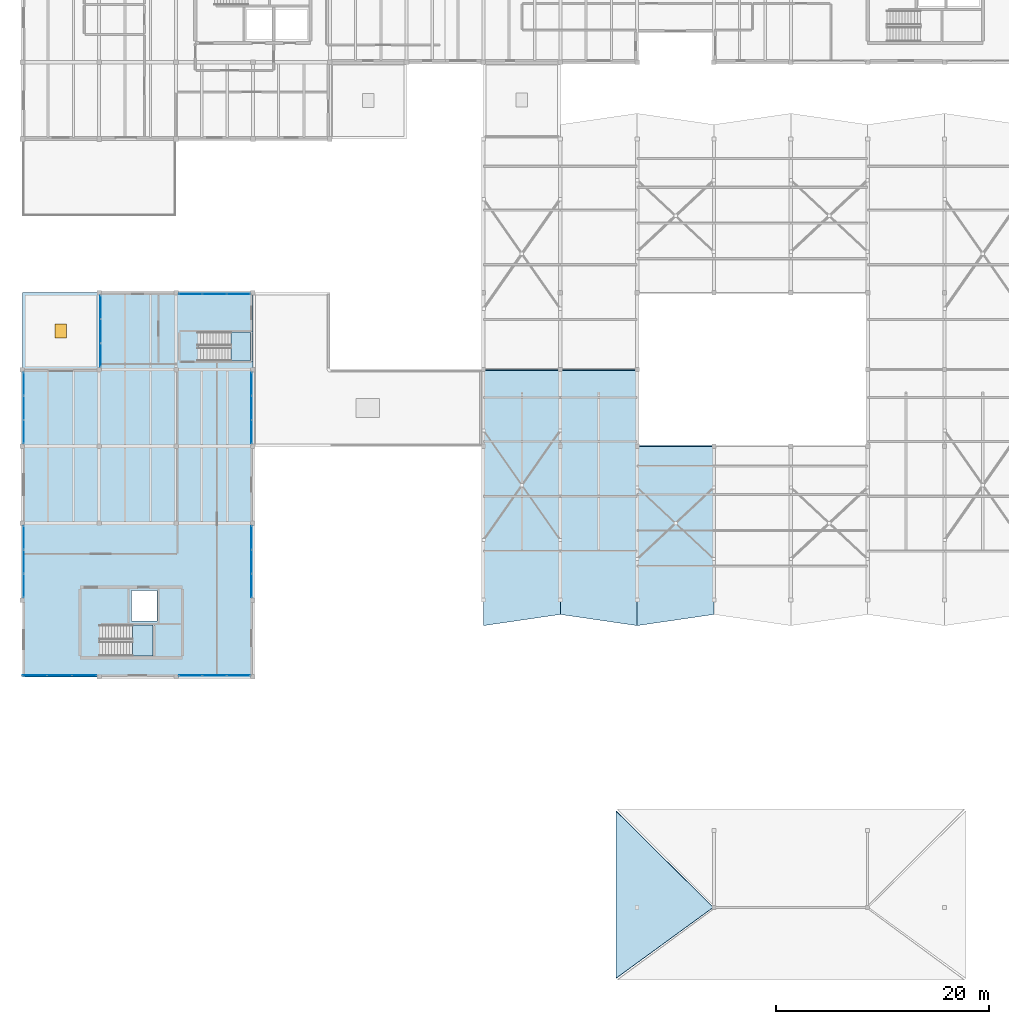
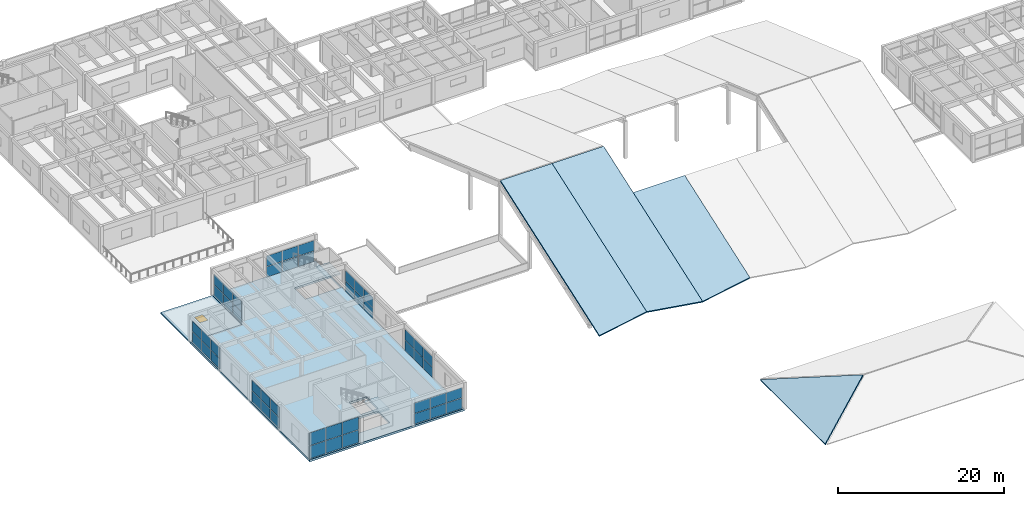
# One storey, part 49 of 68: 48 plates, 8 slabs, 1 door, 1 opening, 10 elements without a shape of their own.
"""IFC4 building model written with IfcOpenShell, lengths in metres."""

from ifc_helpers import new_model, si_unit, direction, frame, origin, origin_2d, place, context, subcontext, project, spatial, polyline, rectangle, outline, extrude, material, layer, layer_set, type_object, element, fill, aggregate, save


model = new_model("IFC4")

# Units and contexts
model_context = context("Model", 3, precision=1e-05, world=origin(), true_north=direction((0.0, 1.0)))
body_context = subcontext(model_context, "Body", "Model", "MODEL_VIEW")
ifc_project = project(units=[si_unit("LENGTHUNIT", "METRE"), si_unit("AREAUNIT", "SQUARE_METRE"), si_unit("VOLUMEUNIT", "CUBIC_METRE"), si_unit("PLANEANGLEUNIT", "RADIAN"), si_unit("MASSUNIT", "GRAM", prefix="KILO")], contexts=[model_context])

# Site, building, storey
site_placement = place(None, origin())
site = spatial("IfcSite", under=ifc_project, at=site_placement, CompositionType="ELEMENT")
building_placement = place(site_placement, origin())
building = spatial("IfcBuilding", under=site, at=building_placement, Name="Bramvelor Terrace Health Centre", CompositionType="ELEMENT")
storey_placement = place(building_placement, frame((0.0, 0.0, 9.300048828125)))
storey = spatial("IfcBuildingStorey", under=building, at=storey_placement, Name="L03", CompositionType="ELEMENT", Elevation=9.300048828125)

# Curtain wall, plates
ifc_material_1 = material(Name="Anodized aluminium and double low-E glass", Category="aluminium")
curtain_wall_type_1 = type_object("IfcCurtainWallType", Name="CW-SYS-27", PredefinedType="NOTDEFINED", material=ifc_material_1)
curtain_wall_1_placement = place(storey_placement, origin())
curtain_wall_1 = element("IfcCurtainWall", 1, at=curtain_wall_1_placement, inside=storey, type_object=curtain_wall_type_1, Name="L03 Unitized Curtain Wall 153", PredefinedType="NOTDEFINED")
ifc_material_2 = material(Name="Double low-E laminated glass", Category="glass")
ifc_layer_1 = layer(ifc_material_2, 0.028076171875)
ifc_layer_set_1 = layer_set([ifc_layer_1], Name="Double low-E laminated glass")
plate_type = type_object("IfcPlateType", Name="CW-PNL-GLZ28", PredefinedType="CURTAIN_PANEL", material=ifc_layer_set_1)
plate_1_placement = place(storey_placement, frame((15.75537109375, 64.669921875, 0.06494140625), z_axis=(0.0, 0.0, 1.0), x_axis=(1.0, 0.0, 0.0)))
plate_1 = element("IfcPlate", 2, at=plate_1_placement, type_object=plate_type, Name="CW-27 panel 1.1", PredefinedType="CURTAIN_PANEL", context=body_context, shape_type="SweptSolid", body=[
    extrude(rectangle(XDim=2.15087890625, YDim=0.028076171875, at=origin_2d()), origin(), (0.0, 0.0, 1.0), 1.517578125),
])
plate_2_placement = place(storey_placement, frame((15.75537109375, 64.669921875, 1.6474609375), z_axis=(0.0, 0.0, 1.0), x_axis=(1.0, 0.0, 0.0)))
plate_2 = element("IfcPlate", 3, at=plate_2_placement, type_object=plate_type, Name="CW-27 panel 1.2", PredefinedType="CURTAIN_PANEL", context=body_context, shape_type="SweptSolid", body=[
    extrude(rectangle(XDim=2.15087890625, YDim=0.028076171875, at=origin_2d()), origin(), (0.0, 0.0, 1.0), 1.517578125),
])
plate_3_placement = place(storey_placement, frame((18.0, 64.669921875, 0.06494140625), z_axis=(0.0, 0.0, 1.0), x_axis=(1.0, 0.0, 0.0)))
plate_3 = element("IfcPlate", 4, at=plate_3_placement, type_object=plate_type, Name="CW-27 panel 2.1", PredefinedType="CURTAIN_PANEL", context=body_context, shape_type="SweptSolid", body=[
    extrude(rectangle(XDim=2.188232421875, YDim=0.028076171875, at=origin_2d()), origin(), (0.0, 0.0, 1.0), 1.517578125),
])
plate_4_placement = place(storey_placement, frame((18.0, 64.669921875, 1.6474609375), z_axis=(0.0, 0.0, 1.0), x_axis=(1.0, 0.0, 0.0)))
plate_4 = element("IfcPlate", 5, at=plate_4_placement, type_object=plate_type, Name="CW-27 panel 2.2", PredefinedType="CURTAIN_PANEL", context=body_context, shape_type="SweptSolid", body=[
    extrude(rectangle(XDim=2.188232421875, YDim=0.028076171875, at=origin_2d()), origin(), (0.0, 0.0, 1.0), 1.517578125),
])
plate_5_placement = place(storey_placement, frame((20.24462890625, 64.669921875, 0.06494140625), z_axis=(0.0, 0.0, 1.0), x_axis=(1.0, 0.0, 0.0)))
plate_5 = element("IfcPlate", 6, at=plate_5_placement, type_object=plate_type, Name="CW-27 panel 3.1", PredefinedType="CURTAIN_PANEL", context=body_context, shape_type="SweptSolid", body=[
    extrude(rectangle(XDim=2.15087890625, YDim=0.028076171875, at=origin_2d()), origin(), (0.0, 0.0, 1.0), 1.517578125),
])
plate_6_placement = place(storey_placement, frame((20.24462890625, 64.669921875, 1.6474609375), z_axis=(0.0, 0.0, 1.0), x_axis=(1.0, 0.0, 0.0)))
plate_6 = element("IfcPlate", 7, at=plate_6_placement, type_object=plate_type, Name="CW-27 panel 3.2", PredefinedType="CURTAIN_PANEL", context=body_context, shape_type="SweptSolid", body=[
    extrude(rectangle(XDim=2.15087890625, YDim=0.028076171875, at=origin_2d()), origin(), (0.0, 0.0, 1.0), 1.517578125),
])
aggregate(curtain_wall_1, [plate_1, plate_2, plate_3, plate_4, plate_5, plate_6])

curtain_wall_2_placement = place(storey_placement, origin())
curtain_wall_2 = element("IfcCurtainWall", 8, at=curtain_wall_2_placement, inside=storey, type_object=curtain_wall_type_1, Name="L03 Unitized Curtain Wall 154", PredefinedType="NOTDEFINED")
plate_7_placement = place(storey_placement, frame((21.469970703125, 56.24462890625, 0.06494140625), z_axis=(0.0, 0.0, 1.0), x_axis=(0.0, -1.0, 0.0)))
plate_7 = element("IfcPlate", 9, at=plate_7_placement, type_object=plate_type, Name="CW-27 panel 1.1", PredefinedType="CURTAIN_PANEL", context=body_context, shape_type="SweptSolid", body=[
    extrude(rectangle(XDim=2.15087890625, YDim=0.028076171875, at=origin_2d()), origin(), (0.0, 0.0, 1.0), 1.517578125),
])
plate_8_placement = place(storey_placement, frame((21.469970703125, 56.24462890625, 1.6474609375), z_axis=(0.0, 0.0, 1.0), x_axis=(0.0, -1.0, 0.0)))
plate_8 = element("IfcPlate", 10, at=plate_8_placement, type_object=plate_type, Name="CW-27 panel 1.2", PredefinedType="CURTAIN_PANEL", context=body_context, shape_type="SweptSolid", body=[
    extrude(rectangle(XDim=2.15087890625, YDim=0.028076171875, at=origin_2d()), origin(), (0.0, 0.0, 1.0), 1.517578125),
])
plate_9_placement = place(storey_placement, frame((21.469970703125, 54.0, 0.06494140625), z_axis=(0.0, 0.0, 1.0), x_axis=(0.0, -1.0, 0.0)))
plate_9 = element("IfcPlate", 11, at=plate_9_placement, type_object=plate_type, Name="CW-27 panel 2.1", PredefinedType="CURTAIN_PANEL", context=body_context, shape_type="SweptSolid", body=[
    extrude(rectangle(XDim=2.188232421875, YDim=0.028076171875, at=origin_2d()), origin(), (0.0, 0.0, 1.0), 1.517578125),
])
plate_10_placement = place(storey_placement, frame((21.469970703125, 54.0, 1.6474609375), z_axis=(0.0, 0.0, 1.0), x_axis=(0.0, -1.0, 0.0)))
plate_10 = element("IfcPlate", 12, at=plate_10_placement, type_object=plate_type, Name="CW-27 panel 2.2", PredefinedType="CURTAIN_PANEL", context=body_context, shape_type="SweptSolid", body=[
    extrude(rectangle(XDim=2.188232421875, YDim=0.028076171875, at=origin_2d()), origin(), (0.0, 0.0, 1.0), 1.517578125),
])
plate_11_placement = place(storey_placement, frame((21.469970703125, 51.75537109375, 0.06494140625), z_axis=(0.0, 0.0, 1.0), x_axis=(0.0, -1.0, 0.0)))
plate_11 = element("IfcPlate", 13, at=plate_11_placement, type_object=plate_type, Name="CW-27 panel 3.1", PredefinedType="CURTAIN_PANEL", context=body_context, shape_type="SweptSolid", body=[
    extrude(rectangle(XDim=2.15087890625, YDim=0.028076171875, at=origin_2d()), origin(), (0.0, 0.0, 1.0), 1.517578125),
])
plate_12_placement = place(storey_placement, frame((21.469970703125, 51.75537109375, 1.6474609375), z_axis=(0.0, 0.0, 1.0), x_axis=(0.0, -1.0, 0.0)))
plate_12 = element("IfcPlate", 14, at=plate_12_placement, type_object=plate_type, Name="CW-27 panel 3.2", PredefinedType="CURTAIN_PANEL", context=body_context, shape_type="SweptSolid", body=[
    extrude(rectangle(XDim=2.15087890625, YDim=0.028076171875, at=origin_2d()), origin(), (0.0, 0.0, 1.0), 1.517578125),
])
aggregate(curtain_wall_2, [plate_7, plate_8, plate_9, plate_10, plate_11, plate_12])

curtain_wall_3_placement = place(storey_placement, origin())
curtain_wall_3 = element("IfcCurtainWall", 15, at=curtain_wall_3_placement, inside=storey, type_object=curtain_wall_type_1, Name="L03 Unitized Curtain Wall 155", PredefinedType="NOTDEFINED")
plate_13_placement = place(storey_placement, frame((21.469970703125, 41.844482421875, 0.06494140625), z_axis=(0.0, 0.0, 1.0), x_axis=(0.0, -1.0, 0.0)))
plate_13 = element("IfcPlate", 16, at=plate_13_placement, type_object=plate_type, Name="CW-27 panel 1.1", PredefinedType="CURTAIN_PANEL", context=body_context, shape_type="SweptSolid", body=[
    extrude(rectangle(XDim=2.15087890625, YDim=0.028076171875, at=origin_2d()), origin(), (0.0, 0.0, 1.0), 1.517578125),
])
plate_14_placement = place(storey_placement, frame((21.469970703125, 41.844482421875, 1.6474609375), z_axis=(0.0, 0.0, 1.0), x_axis=(0.0, -1.0, 0.0)))
plate_14 = element("IfcPlate", 17, at=plate_14_placement, type_object=plate_type, Name="CW-27 panel 1.2", PredefinedType="CURTAIN_PANEL", context=body_context, shape_type="SweptSolid", body=[
    extrude(rectangle(XDim=2.15087890625, YDim=0.028076171875, at=origin_2d()), origin(), (0.0, 0.0, 1.0), 1.517578125),
])
plate_15_placement = place(storey_placement, frame((21.469970703125, 39.60009765625, 0.06494140625), z_axis=(0.0, 0.0, 1.0), x_axis=(0.0, -1.0, 0.0)))
plate_15 = element("IfcPlate", 18, at=plate_15_placement, type_object=plate_type, Name="CW-27 panel 2.1", PredefinedType="CURTAIN_PANEL", context=body_context, shape_type="SweptSolid", body=[
    extrude(rectangle(XDim=2.188232421875, YDim=0.028076171875, at=origin_2d()), origin(), (0.0, 0.0, 1.0), 1.517578125),
])
plate_16_placement = place(storey_placement, frame((21.469970703125, 39.60009765625, 1.6474609375), z_axis=(0.0, 0.0, 1.0), x_axis=(0.0, -1.0, 0.0)))
plate_16 = element("IfcPlate", 19, at=plate_16_placement, type_object=plate_type, Name="CW-27 panel 2.2", PredefinedType="CURTAIN_PANEL", context=body_context, shape_type="SweptSolid", body=[
    extrude(rectangle(XDim=2.188232421875, YDim=0.028076171875, at=origin_2d()), origin(), (0.0, 0.0, 1.0), 1.517578125),
])
plate_17_placement = place(storey_placement, frame((21.469970703125, 37.35546875, 0.06494140625), z_axis=(0.0, 0.0, 1.0), x_axis=(0.0, -1.0, 0.0)))
plate_17 = element("IfcPlate", 20, at=plate_17_placement, type_object=plate_type, Name="CW-27 panel 3.1", PredefinedType="CURTAIN_PANEL", context=body_context, shape_type="SweptSolid", body=[
    extrude(rectangle(XDim=2.15087890625, YDim=0.028076171875, at=origin_2d()), origin(), (0.0, 0.0, 1.0), 1.517578125),
])
plate_18_placement = place(storey_placement, frame((21.469970703125, 37.35546875, 1.6474609375), z_axis=(0.0, 0.0, 1.0), x_axis=(0.0, -1.0, 0.0)))
plate_18 = element("IfcPlate", 21, at=plate_18_placement, type_object=plate_type, Name="CW-27 panel 3.2", PredefinedType="CURTAIN_PANEL", context=body_context, shape_type="SweptSolid", body=[
    extrude(rectangle(XDim=2.15087890625, YDim=0.028076171875, at=origin_2d()), origin(), (0.0, 0.0, 1.0), 1.517578125),
])
aggregate(curtain_wall_3, [plate_13, plate_14, plate_15, plate_16, plate_17, plate_18])

curtain_wall_4_placement = place(storey_placement, origin())
curtain_wall_4 = element("IfcCurtainWall", 22, at=curtain_wall_4_placement, inside=storey, type_object=curtain_wall_type_1, Name="L03 Unitized Curtain Wall 156", PredefinedType="NOTDEFINED")
plate_19_placement = place(storey_placement, frame((20.24462890625, 28.929931640625, 0.06494140625), z_axis=(0.0, 0.0, 1.0), x_axis=(-1.0, 0.0, 0.0)))
plate_19 = element("IfcPlate", 23, at=plate_19_placement, type_object=plate_type, Name="CW-27 panel 1.1", PredefinedType="CURTAIN_PANEL", context=body_context, shape_type="SweptSolid", body=[
    extrude(rectangle(XDim=2.15087890625, YDim=0.028076171875, at=origin_2d()), origin(), (0.0, 0.0, 1.0), 1.517578125),
])
plate_20_placement = place(storey_placement, frame((20.24462890625, 28.929931640625, 1.6474609375), z_axis=(0.0, 0.0, 1.0), x_axis=(-1.0, 0.0, 0.0)))
plate_20 = element("IfcPlate", 24, at=plate_20_placement, type_object=plate_type, Name="CW-27 panel 1.2", PredefinedType="CURTAIN_PANEL", context=body_context, shape_type="SweptSolid", body=[
    extrude(rectangle(XDim=2.15087890625, YDim=0.028076171875, at=origin_2d()), origin(), (0.0, 0.0, 1.0), 1.517578125),
])
plate_21_placement = place(storey_placement, frame((18.0, 28.929931640625, 0.06494140625), z_axis=(0.0, 0.0, 1.0), x_axis=(-1.0, 0.0, 0.0)))
plate_21 = element("IfcPlate", 25, at=plate_21_placement, type_object=plate_type, Name="CW-27 panel 2.1", PredefinedType="CURTAIN_PANEL", context=body_context, shape_type="SweptSolid", body=[
    extrude(rectangle(XDim=2.188232421875, YDim=0.028076171875, at=origin_2d()), origin(), (0.0, 0.0, 1.0), 1.517578125),
])
plate_22_placement = place(storey_placement, frame((18.0, 28.929931640625, 1.6474609375), z_axis=(0.0, 0.0, 1.0), x_axis=(-1.0, 0.0, 0.0)))
plate_22 = element("IfcPlate", 26, at=plate_22_placement, type_object=plate_type, Name="CW-27 panel 2.2", PredefinedType="CURTAIN_PANEL", context=body_context, shape_type="SweptSolid", body=[
    extrude(rectangle(XDim=2.188232421875, YDim=0.028076171875, at=origin_2d()), origin(), (0.0, 0.0, 1.0), 1.517578125),
])
plate_23_placement = place(storey_placement, frame((15.75537109375, 28.929931640625, 0.06494140625), z_axis=(0.0, 0.0, 1.0), x_axis=(-1.0, 0.0, 0.0)))
plate_23 = element("IfcPlate", 27, at=plate_23_placement, type_object=plate_type, Name="CW-27 panel 3.1", PredefinedType="CURTAIN_PANEL", context=body_context, shape_type="SweptSolid", body=[
    extrude(rectangle(XDim=2.15087890625, YDim=0.028076171875, at=origin_2d()), origin(), (0.0, 0.0, 1.0), 1.517578125),
])
plate_24_placement = place(storey_placement, frame((15.75537109375, 28.929931640625, 1.6474609375), z_axis=(0.0, 0.0, 1.0), x_axis=(-1.0, 0.0, 0.0)))
plate_24 = element("IfcPlate", 28, at=plate_24_placement, type_object=plate_type, Name="CW-27 panel 3.2", PredefinedType="CURTAIN_PANEL", context=body_context, shape_type="SweptSolid", body=[
    extrude(rectangle(XDim=2.15087890625, YDim=0.028076171875, at=origin_2d()), origin(), (0.0, 0.0, 1.0), 1.517578125),
])
aggregate(curtain_wall_4, [plate_19, plate_20, plate_21, plate_22, plate_23, plate_24])

ifc_material_3 = material(Name="Anodized aluminium and double low-E glass", Category="aluminium")
curtain_wall_type_2 = type_object("IfcCurtainWallType", Name="CW-SYS-28", PredefinedType="NOTDEFINED", material=ifc_material_3)
curtain_wall_5_placement = place(storey_placement, origin())
curtain_wall_5 = element("IfcCurtainWall", 29, at=curtain_wall_5_placement, inside=storey, type_object=curtain_wall_type_2, Name="L03 Unitized Curtain Wall 157", PredefinedType="NOTDEFINED")
plate_25_placement = place(storey_placement, frame((5.8037109375, 28.929931640625, 0.06494140625), z_axis=(0.0, 0.0, 1.0), x_axis=(-1.0, 0.0, 0.0)))
plate_25 = element("IfcPlate", 30, at=plate_25_placement, type_object=plate_type, Name="CW-28 panel 1.1", PredefinedType="CURTAIN_PANEL", context=body_context, shape_type="SweptSolid", body=[
    extrude(rectangle(XDim=2.232421875, YDim=0.028076171875, at=origin_2d()), origin(), (0.0, 0.0, 1.0), 1.867431640625),
])
plate_26_placement = place(storey_placement, frame((5.8037109375, 28.929931640625, 1.99755859375), z_axis=(0.0, 0.0, 1.0), x_axis=(-1.0, 0.0, 0.0)))
plate_26 = element("IfcPlate", 31, at=plate_26_placement, type_object=plate_type, Name="CW-28 panel 1.2", PredefinedType="CURTAIN_PANEL", context=body_context, shape_type="SweptSolid", body=[
    extrude(rectangle(XDim=2.232421875, YDim=0.028076171875, at=origin_2d()), origin(), (0.0, 0.0, 1.0), 1.867431640625),
])
plate_27_placement = place(storey_placement, frame((3.4775390625, 28.929931640625, 0.06494140625), z_axis=(0.0, 0.0, 1.0), x_axis=(-1.0, 0.0, 0.0)))
plate_27 = element("IfcPlate", 32, at=plate_27_placement, type_object=plate_type, Name="CW-28 panel 2.1", PredefinedType="CURTAIN_PANEL", context=body_context, shape_type="SweptSolid", body=[
    extrude(rectangle(XDim=2.27001953125, YDim=0.028076171875, at=origin_2d()), origin(), (0.0, 0.0, 1.0), 1.867431640625),
])
plate_28_placement = place(storey_placement, frame((3.4775390625, 28.929931640625, 1.99755859375), z_axis=(0.0, 0.0, 1.0), x_axis=(-1.0, 0.0, 0.0)))
plate_28 = element("IfcPlate", 33, at=plate_28_placement, type_object=plate_type, Name="CW-28 panel 2.2", PredefinedType="CURTAIN_PANEL", context=body_context, shape_type="SweptSolid", body=[
    extrude(rectangle(XDim=2.27001953125, YDim=0.028076171875, at=origin_2d()), origin(), (0.0, 0.0, 1.0), 1.867431640625),
])
plate_29_placement = place(storey_placement, frame((1.1513671875, 28.929931640625, 0.06494140625), z_axis=(0.0, 0.0, 1.0), x_axis=(-1.0, 0.0, 0.0)))
plate_29 = element("IfcPlate", 34, at=plate_29_placement, type_object=plate_type, Name="CW-28 panel 3.1", PredefinedType="CURTAIN_PANEL", context=body_context, shape_type="SweptSolid", body=[
    extrude(rectangle(XDim=2.232421875, YDim=0.028076171875, at=origin_2d()), origin(), (0.0, 0.0, 1.0), 1.867431640625),
])
plate_30_placement = place(storey_placement, frame((1.1513671875, 28.929931640625, 1.99755859375), z_axis=(0.0, 0.0, 1.0), x_axis=(-1.0, 0.0, 0.0)))
plate_30 = element("IfcPlate", 35, at=plate_30_placement, type_object=plate_type, Name="CW-28 panel 3.2", PredefinedType="CURTAIN_PANEL", context=body_context, shape_type="SweptSolid", body=[
    extrude(rectangle(XDim=2.232421875, YDim=0.028076171875, at=origin_2d()), origin(), (0.0, 0.0, 1.0), 1.867431640625),
])
aggregate(curtain_wall_5, [plate_25, plate_26, plate_27, plate_28, plate_29, plate_30])

curtain_wall_6_placement = place(storey_placement, origin())
curtain_wall_6 = element("IfcCurtainWall", 36, at=curtain_wall_6_placement, inside=storey, type_object=curtain_wall_type_1, Name="L03 Unitized Curtain Wall 158", PredefinedType="NOTDEFINED")
plate_31_placement = place(storey_placement, frame((0.1298828125, 37.35546875, 0.06494140625), z_axis=(0.0, 0.0, 1.0), x_axis=(0.0, 1.0, 0.0)))
plate_31 = element("IfcPlate", 37, at=plate_31_placement, type_object=plate_type, Name="CW-27 panel 1.1", PredefinedType="CURTAIN_PANEL", context=body_context, shape_type="SweptSolid", body=[
    extrude(rectangle(XDim=2.15087890625, YDim=0.028076171875, at=origin_2d()), origin(), (0.0, 0.0, 1.0), 1.517578125),
])
plate_32_placement = place(storey_placement, frame((0.1298828125, 37.35546875, 1.6474609375), z_axis=(0.0, 0.0, 1.0), x_axis=(0.0, 1.0, 0.0)))
plate_32 = element("IfcPlate", 38, at=plate_32_placement, type_object=plate_type, Name="CW-27 panel 1.2", PredefinedType="CURTAIN_PANEL", context=body_context, shape_type="SweptSolid", body=[
    extrude(rectangle(XDim=2.15087890625, YDim=0.028076171875, at=origin_2d()), origin(), (0.0, 0.0, 1.0), 1.517578125),
])
plate_33_placement = place(storey_placement, frame((0.1298828125, 39.60009765625, 0.06494140625), z_axis=(0.0, 0.0, 1.0), x_axis=(0.0, 1.0, 0.0)))
plate_33 = element("IfcPlate", 39, at=plate_33_placement, type_object=plate_type, Name="CW-27 panel 2.1", PredefinedType="CURTAIN_PANEL", context=body_context, shape_type="SweptSolid", body=[
    extrude(rectangle(XDim=2.188232421875, YDim=0.028076171875, at=origin_2d()), origin(), (0.0, 0.0, 1.0), 1.517578125),
])
plate_34_placement = place(storey_placement, frame((0.1298828125, 39.60009765625, 1.6474609375), z_axis=(0.0, 0.0, 1.0), x_axis=(0.0, 1.0, 0.0)))
plate_34 = element("IfcPlate", 40, at=plate_34_placement, type_object=plate_type, Name="CW-27 panel 2.2", PredefinedType="CURTAIN_PANEL", context=body_context, shape_type="SweptSolid", body=[
    extrude(rectangle(XDim=2.188232421875, YDim=0.028076171875, at=origin_2d()), origin(), (0.0, 0.0, 1.0), 1.517578125),
])
plate_35_placement = place(storey_placement, frame((0.1298828125, 41.844482421875, 0.06494140625), z_axis=(0.0, 0.0, 1.0), x_axis=(0.0, 1.0, 0.0)))
plate_35 = element("IfcPlate", 41, at=plate_35_placement, type_object=plate_type, Name="CW-27 panel 3.1", PredefinedType="CURTAIN_PANEL", context=body_context, shape_type="SweptSolid", body=[
    extrude(rectangle(XDim=2.15087890625, YDim=0.028076171875, at=origin_2d()), origin(), (0.0, 0.0, 1.0), 1.517578125),
])
plate_36_placement = place(storey_placement, frame((0.1298828125, 41.844482421875, 1.6474609375), z_axis=(0.0, 0.0, 1.0), x_axis=(0.0, 1.0, 0.0)))
plate_36 = element("IfcPlate", 42, at=plate_36_placement, type_object=plate_type, Name="CW-27 panel 3.2", PredefinedType="CURTAIN_PANEL", context=body_context, shape_type="SweptSolid", body=[
    extrude(rectangle(XDim=2.15087890625, YDim=0.028076171875, at=origin_2d()), origin(), (0.0, 0.0, 1.0), 1.517578125),
])
aggregate(curtain_wall_6, [plate_31, plate_32, plate_33, plate_34, plate_35, plate_36])

curtain_wall_7_placement = place(storey_placement, origin())
curtain_wall_7 = element("IfcCurtainWall", 43, at=curtain_wall_7_placement, inside=storey, type_object=curtain_wall_type_1, Name="L03 Unitized Curtain Wall 159", PredefinedType="NOTDEFINED")
plate_37_placement = place(storey_placement, frame((0.1298828125, 51.75537109375, 0.06494140625), z_axis=(0.0, 0.0, 1.0), x_axis=(0.0, 1.0, 0.0)))
plate_37 = element("IfcPlate", 44, at=plate_37_placement, type_object=plate_type, Name="CW-27 panel 1.1", PredefinedType="CURTAIN_PANEL", context=body_context, shape_type="SweptSolid", body=[
    extrude(rectangle(XDim=2.15087890625, YDim=0.028076171875, at=origin_2d()), origin(), (0.0, 0.0, 1.0), 1.517578125),
])
plate_38_placement = place(storey_placement, frame((0.1298828125, 51.75537109375, 1.6474609375), z_axis=(0.0, 0.0, 1.0), x_axis=(0.0, 1.0, 0.0)))
plate_38 = element("IfcPlate", 45, at=plate_38_placement, type_object=plate_type, Name="CW-27 panel 1.2", PredefinedType="CURTAIN_PANEL", context=body_context, shape_type="SweptSolid", body=[
    extrude(rectangle(XDim=2.15087890625, YDim=0.028076171875, at=origin_2d()), origin(), (0.0, 0.0, 1.0), 1.517578125),
])
plate_39_placement = place(storey_placement, frame((0.1298828125, 54.0, 0.06494140625), z_axis=(0.0, 0.0, 1.0), x_axis=(0.0, 1.0, 0.0)))
plate_39 = element("IfcPlate", 46, at=plate_39_placement, type_object=plate_type, Name="CW-27 panel 2.1", PredefinedType="CURTAIN_PANEL", context=body_context, shape_type="SweptSolid", body=[
    extrude(rectangle(XDim=2.188232421875, YDim=0.028076171875, at=origin_2d()), origin(), (0.0, 0.0, 1.0), 1.517578125),
])
plate_40_placement = place(storey_placement, frame((0.1298828125, 54.0, 1.6474609375), z_axis=(0.0, 0.0, 1.0), x_axis=(0.0, 1.0, 0.0)))
plate_40 = element("IfcPlate", 47, at=plate_40_placement, type_object=plate_type, Name="CW-27 panel 2.2", PredefinedType="CURTAIN_PANEL", context=body_context, shape_type="SweptSolid", body=[
    extrude(rectangle(XDim=2.188232421875, YDim=0.028076171875, at=origin_2d()), origin(), (0.0, 0.0, 1.0), 1.517578125),
])
plate_41_placement = place(storey_placement, frame((0.1298828125, 56.24462890625, 0.06494140625), z_axis=(0.0, 0.0, 1.0), x_axis=(0.0, 1.0, 0.0)))
plate_41 = element("IfcPlate", 48, at=plate_41_placement, type_object=plate_type, Name="CW-27 panel 3.1", PredefinedType="CURTAIN_PANEL", context=body_context, shape_type="SweptSolid", body=[
    extrude(rectangle(XDim=2.15087890625, YDim=0.028076171875, at=origin_2d()), origin(), (0.0, 0.0, 1.0), 1.517578125),
])
plate_42_placement = place(storey_placement, frame((0.1298828125, 56.24462890625, 1.6474609375), z_axis=(0.0, 0.0, 1.0), x_axis=(0.0, 1.0, 0.0)))
plate_42 = element("IfcPlate", 49, at=plate_42_placement, type_object=plate_type, Name="CW-27 panel 3.2", PredefinedType="CURTAIN_PANEL", context=body_context, shape_type="SweptSolid", body=[
    extrude(rectangle(XDim=2.15087890625, YDim=0.028076171875, at=origin_2d()), origin(), (0.0, 0.0, 1.0), 1.517578125),
])
aggregate(curtain_wall_7, [plate_37, plate_38, plate_39, plate_40, plate_41, plate_42])

curtain_wall_8_placement = place(storey_placement, origin())
curtain_wall_8 = element("IfcCurtainWall", 50, at=curtain_wall_8_placement, inside=storey, type_object=curtain_wall_type_1, Name="L03 Unitized Curtain Wall 160", PredefinedType="NOTDEFINED")
plate_43_placement = place(storey_placement, frame((7.330078125, 58.955322265625, 0.06494140625), z_axis=(0.0, 0.0, 1.0), x_axis=(0.0, 1.0, 0.0)))
plate_43 = element("IfcPlate", 51, at=plate_43_placement, type_object=plate_type, Name="CW-27 panel 1.1", PredefinedType="CURTAIN_PANEL", context=body_context, shape_type="SweptSolid", body=[
    extrude(rectangle(XDim=2.15087890625, YDim=0.028076171875, at=origin_2d()), origin(), (0.0, 0.0, 1.0), 1.517578125),
])
plate_44_placement = place(storey_placement, frame((7.330078125, 58.955322265625, 1.6474609375), z_axis=(0.0, 0.0, 1.0), x_axis=(0.0, 1.0, 0.0)))
plate_44 = element("IfcPlate", 52, at=plate_44_placement, type_object=plate_type, Name="CW-27 panel 1.2", PredefinedType="CURTAIN_PANEL", context=body_context, shape_type="SweptSolid", body=[
    extrude(rectangle(XDim=2.15087890625, YDim=0.028076171875, at=origin_2d()), origin(), (0.0, 0.0, 1.0), 1.517578125),
])
plate_45_placement = place(storey_placement, frame((7.330078125, 61.199951171875, 0.06494140625), z_axis=(0.0, 0.0, 1.0), x_axis=(0.0, 1.0, 0.0)))
plate_45 = element("IfcPlate", 53, at=plate_45_placement, type_object=plate_type, Name="CW-27 panel 2.1", PredefinedType="CURTAIN_PANEL", context=body_context, shape_type="SweptSolid", body=[
    extrude(rectangle(XDim=2.188232421875, YDim=0.028076171875, at=origin_2d()), origin(), (0.0, 0.0, 1.0), 1.517578125),
])
plate_46_placement = place(storey_placement, frame((7.330078125, 61.199951171875, 1.6474609375), z_axis=(0.0, 0.0, 1.0), x_axis=(0.0, 1.0, 0.0)))
plate_46 = element("IfcPlate", 54, at=plate_46_placement, type_object=plate_type, Name="CW-27 panel 2.2", PredefinedType="CURTAIN_PANEL", context=body_context, shape_type="SweptSolid", body=[
    extrude(rectangle(XDim=2.188232421875, YDim=0.028076171875, at=origin_2d()), origin(), (0.0, 0.0, 1.0), 1.517578125),
])
plate_47_placement = place(storey_placement, frame((7.330078125, 63.444580078125, 0.06494140625), z_axis=(0.0, 0.0, 1.0), x_axis=(0.0, 1.0, 0.0)))
plate_47 = element("IfcPlate", 55, at=plate_47_placement, type_object=plate_type, Name="CW-27 panel 3.1", PredefinedType="CURTAIN_PANEL", context=body_context, shape_type="SweptSolid", body=[
    extrude(rectangle(XDim=2.15087890625, YDim=0.028076171875, at=origin_2d()), origin(), (0.0, 0.0, 1.0), 1.517578125),
])
plate_48_placement = place(storey_placement, frame((7.330078125, 63.444580078125, 1.6474609375), z_axis=(0.0, 0.0, 1.0), x_axis=(0.0, 1.0, 0.0)))
plate_48 = element("IfcPlate", 56, at=plate_48_placement, type_object=plate_type, Name="CW-27 panel 3.2", PredefinedType="CURTAIN_PANEL", context=body_context, shape_type="SweptSolid", body=[
    extrude(rectangle(XDim=2.15087890625, YDim=0.028076171875, at=origin_2d()), origin(), (0.0, 0.0, 1.0), 1.517578125),
])
aggregate(curtain_wall_8, [plate_43, plate_44, plate_45, plate_46, plate_47, plate_48])

# Slab
ifc_material_4 = material(Name="Concrete C40/50", Category="concrete")
ifc_layer_2 = layer(ifc_material_4, 0.300048828125)
ifc_layer_set_2 = layer_set([ifc_layer_2], Name="Concrete C40/50")
slab_type_1 = type_object("IfcSlabType", Name="SLB-FLR-RC300", PredefinedType="FLOOR", material=ifc_layer_set_2)
slab_1_placement = place(storey_placement, frame((0.0, 0.0, -0.300048828125)))
element("IfcSlab", 57, at=slab_1_placement, inside=storey, type_object=slab_type_1, Name="L03 V6 Floor Slab", PredefinedType="FLOOR", context=body_context, shape_type="SweptSolid", body=[
    extrude(outline(polyline([(0.0, 57.60009765625), (7.199951171875, 57.60009765625), (7.199951171875, 64.800048828125), (21.60009765625, 64.800048828125), (21.60009765625, 28.800048828125), (0.0, 28.800048828125), (0.0, 57.60009765625)]), holes=[polyline([(7.280029296875, 30.75), (12.35009765625, 30.75), (12.35009765625, 33.64990234375), (7.280029296875, 33.64990234375), (7.280029296875, 30.75)]), polyline([(10.199951171875, 36.89990234375), (10.199951171875, 34.050048828125), (12.60009765625, 34.050048828125), (12.60009765625, 36.89990234375), (10.199951171875, 36.89990234375)]), polyline([(21.550048828125, 61.10009765625), (16.47998046875, 61.10009765625), (16.47998046875, 58.39990234375), (21.550048828125, 58.39990234375), (21.550048828125, 61.10009765625)])]), origin(), (0.0, 0.0, 1.0), 0.300048828125),
])

# Stair, slab
ifc_material_5 = material(Name="Concrete C40/50", Category="concrete")
stair_type_1 = type_object("IfcStairType", Name="STR-CORE", PredefinedType="HALF_TURN_STAIR", material=ifc_material_5)
stair_1_placement = place(storey_placement, origin())
stair_1 = element("IfcStair", 58, at=stair_1_placement, inside=storey, type_object=stair_type_1, Name="L03 C3 Primary Fire Stair", PredefinedType="HALF_TURN_STAIR")
ifc_material_6 = material(Name="Concrete C40/50", Category="concrete")
ifc_layer_3 = layer(ifc_material_6, 0.199951171875)
ifc_layer_set_3 = layer_set([ifc_layer_3], Name="Concrete C40/50")
slab_type_2 = type_object("IfcSlabType", Name="SLB-LND-200", PredefinedType="LANDING", material=ifc_layer_set_3)
slab_2_placement = place(storey_placement, frame((0.0, 0.0, 1.89990234375)))
slab_2 = element("IfcSlab", 59, at=slab_2_placement, type_object=slab_type_2, Name="ST-3 landing 1", PredefinedType="LANDING", context=body_context, shape_type="SweptSolid", body=[
    extrude(outline(polyline([(10.3349609375, 30.75), (12.2548828125, 30.75), (12.2548828125, 33.64990234375), (10.3349609375, 33.64990234375), (10.3349609375, 30.75)])), origin(), (0.0, 0.0, 1.0), 0.199951171875),
])
aggregate(stair_1, [slab_2])

ifc_material_7 = material(Name="Concrete C40/50", Category="concrete")
stair_type_2 = type_object("IfcStairType", Name="STR-SEC", PredefinedType="HALF_TURN_STAIR", material=ifc_material_7)
stair_2_placement = place(storey_placement, origin())
stair_2 = element("IfcStair", 60, at=stair_2_placement, inside=storey, type_object=stair_type_2, Name="L03 North Pharmacy & Mental Health Exit Stair", PredefinedType="HALF_TURN_STAIR")
slab_3_placement = place(storey_placement, frame((0.0, 0.0, 1.89990234375)))
slab_3 = element("IfcSlab", 61, at=slab_3_placement, type_object=slab_type_2, Name="ST-6 landing 1", PredefinedType="LANDING", context=body_context, shape_type="SweptSolid", body=[
    extrude(outline(polyline([(19.554931640625, 58.39990234375), (21.375, 58.39990234375), (21.375, 61.10009765625), (19.554931640625, 61.10009765625), (19.554931640625, 58.39990234375)])), origin(), (0.0, 0.0, 1.0), 0.199951171875),
])
aggregate(stair_2, [slab_3])

# Slabs
ifc_material_8 = material(Name="Cross-laminated timber C24", Category="wood")
ifc_layer_4 = layer(ifc_material_8, 0.2099609375)
ifc_layer_set_4 = layer_set([ifc_layer_4], Name="Cross-laminated timber C24")
slab_type_3 = type_object("IfcSlabType", Name="SLB-RF-FP210", PredefinedType="ROOF", material=ifc_layer_set_4)
slab_4_placement = place(storey_placement, frame((43.199951171875, 33.60009765625, 0.300048828125), z_axis=(-4.30848e-07, -0.330345159834, 0.943860199062), x_axis=(0.98827737167, 0.144098092516, 0.050433881256)))
element("IfcSlab", 62, at=slab_4_placement, inside=storey, type_object=slab_type_3, Name="Waiting Hall Folded-Plate Roof South Bay 1", PredefinedType="ROOF", context=body_context, shape_type="SweptSolid", body=[
    extrude(outline(polyline([(0.0, 0.0), (7.285354677008108, 4.163336342344337e-17), (10.984587622660126, 23.946362304026074), (3.869038802368131, 25.04557195801196), (0.0, 0.0)])), origin(), (0.0, 0.0, -1.0), 0.2099609375),
])
slab_5_placement = place(storey_placement, frame((50.39990234375, 34.64990234375, 0.66748046875), z_axis=(4.30834e-07, -0.330345159834, 0.943860199062), x_axis=(0.988278152704, -0.144093320386, -0.050432211026)))
element("IfcSlab", 63, at=slab_5_placement, inside=storey, type_object=slab_type_3, Name="Waiting Hall Folded-Plate Roof South Bay 2", PredefinedType="ROOF", context=body_context, shape_type="SweptSolid", body=[
    extrude(outline(polyline([(0.0, 0.0), (7.285595955758643, -3.191891195797325e-16), (3.4166852852350007, 25.045591751477815), (-3.699110437306991, 23.946381228788717), (0.0, 0.0)])), origin(), (0.0, 0.0, -1.0), 0.2099609375),
])
slab_6_placement = place(storey_placement, frame((57.60009765625, 33.60009765625, 0.300048828125), z_axis=(-2.06447e-07, -0.330347901987, 0.943859239322), x_axis=(0.98827737167, 0.144098019256, 0.050434090577)))
element("IfcSlab", 64, at=slab_6_placement, inside=storey, type_object=slab_type_3, Name="Waiting Hall Folded-Plate Roof South Bay 3", PredefinedType="ROOF", context=body_context, shape_type="SweptSolid", body=[
    extrude(outline(polyline([(0.0, 0.0), (7.285354677008617, -4.163336342344337e-17), (9.832913941988036, 16.491196430632964), (2.717365121697556, 17.590406084632026), (0.0, 0.0)])), origin(), (0.0, 0.0, -1.0), 0.2099609375),
])
ifc_material_9 = material(Name="Cross-laminated timber C24", Category="wood")
ifc_layer_5 = layer(ifc_material_9, 0.195068359375)
ifc_layer_set_5 = layer_set([ifc_layer_5], Name="Cross-laminated timber C24")
slab_type_4 = type_object("IfcSlabType", Name="SLB-RF-HIP195", PredefinedType="ROOF", material=ifc_layer_set_5)
slab_7_placement = place(storey_placement, frame((55.60009765625, 16.25, 0.0), z_axis=(-0.312479513884, 0.0, 0.949924498791), x_axis=(0.0, -1.0, 0.0)))
element("IfcSlab", 65, at=slab_7_placement, inside=storey, type_object=slab_type_4, Name="Rehabilitation Pavilion Prairie Hip Roof W", PredefinedType="ROOF", context=body_context, shape_type="SweptSolid", body=[
    extrude(outline(polyline([(0.0, 0.0), (15.699951171875, 0.0), (9.050048828125, 9.600629374739821), (0.0, 0.0)])), origin(), (0.0, 0.0, -1.0), 0.195068359375),
])

# Slab, opening, door
ifc_material_10 = material(Name="Concrete C40/50", Category="concrete")
ifc_layer_6 = layer(ifc_material_10, 0.219970703125)
ifc_layer_set_6 = layer_set([ifc_layer_6], Name="Concrete C40/50")
slab_type_5 = type_object("IfcSlabType", Name="SLB-RF-RC220", PredefinedType="ROOF", material=ifc_layer_set_6)
slab_8_placement = place(storey_placement, frame((0.0, 0.0, -0.300048828125)))
slab_8 = element("IfcSlab", 66, at=slab_8_placement, inside=storey, type_object=slab_type_5, Name="L03 Insulated Maintenance Roof 6", PredefinedType="ROOF", context=body_context, shape_type="SweptSolid", body=[
    extrude(outline(polyline([(7.18994140625, 64.800048828125), (7.18994140625, 57.610107421875), (0.0, 57.610107421875), (0.0, 64.800048828125), (7.18994140625, 64.800048828125)])), origin(), (0.0, 0.0, 1.0), 0.219970703125),
])
opening_placement = place(slab_8_placement, frame((3.594970703125, 61.205078125, 0.0)))
opening = element("IfcOpeningElement", 67, at=opening_placement, cuts=slab_8, Name="Opening RH-01", PredefinedType="OPENING", context=body_context, shape_type="SweptSolid", body=[
    extrude(rectangle(XDim=1.10009765625, YDim=1.300048828125, at=origin_2d()), origin(), (0.0, 0.0, 1.0), 0.219970703125),
])
ifc_material_11 = material(Name="Insulated galvanized steel", Category="steel")
door_type = type_object("IfcDoorType", Name="DR-ROOF-HATCH", OperationType="SINGLE_SWING_LEFT", PredefinedType="TRAPDOOR", material=ifc_material_11)
door_placement = place(opening_placement, frame((0.0, 0.0, 0.169921875)))
door = element("IfcDoor", 68, at=door_placement, inside=storey, type_object=door_type, Name="L03 Roof Maintenance Access Hatch 4", OperationType="SINGLE_SWING_LEFT", OverallHeight=1.300048828125, OverallWidth=1.10009765625, PredefinedType="TRAPDOOR", context=body_context, shape_type="SweptSolid", body=[
    extrude(rectangle(XDim=1.10009765625, YDim=1.300048828125, at=origin_2d()), origin(), (0.0, 0.0, 1.0), 0.050048828125),
])
fill(opening, door)

save(model, "model.ifc")
